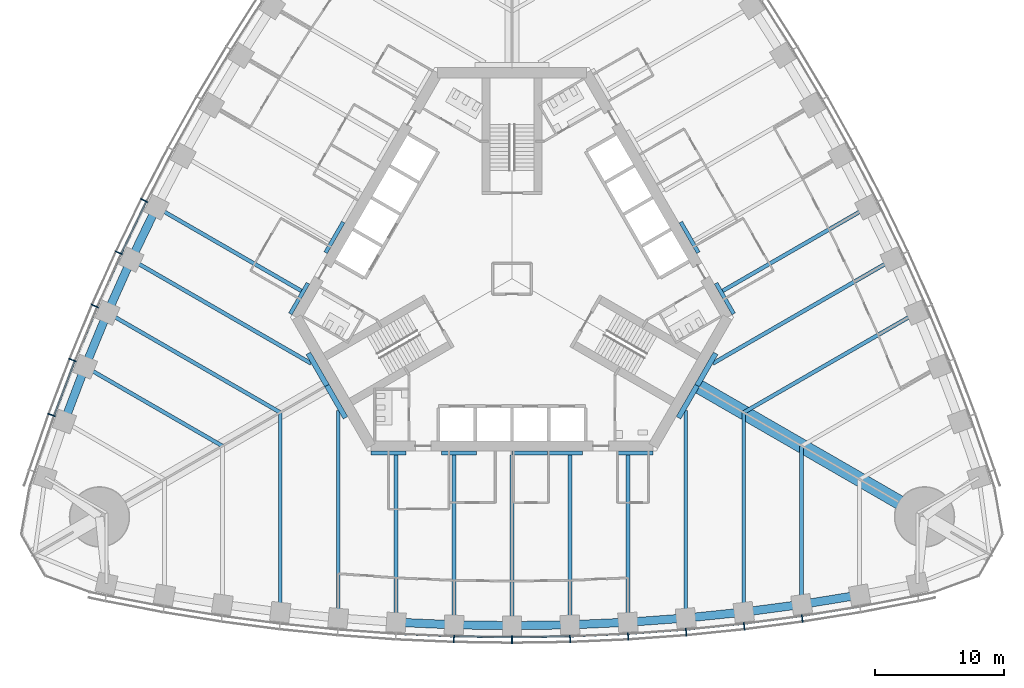
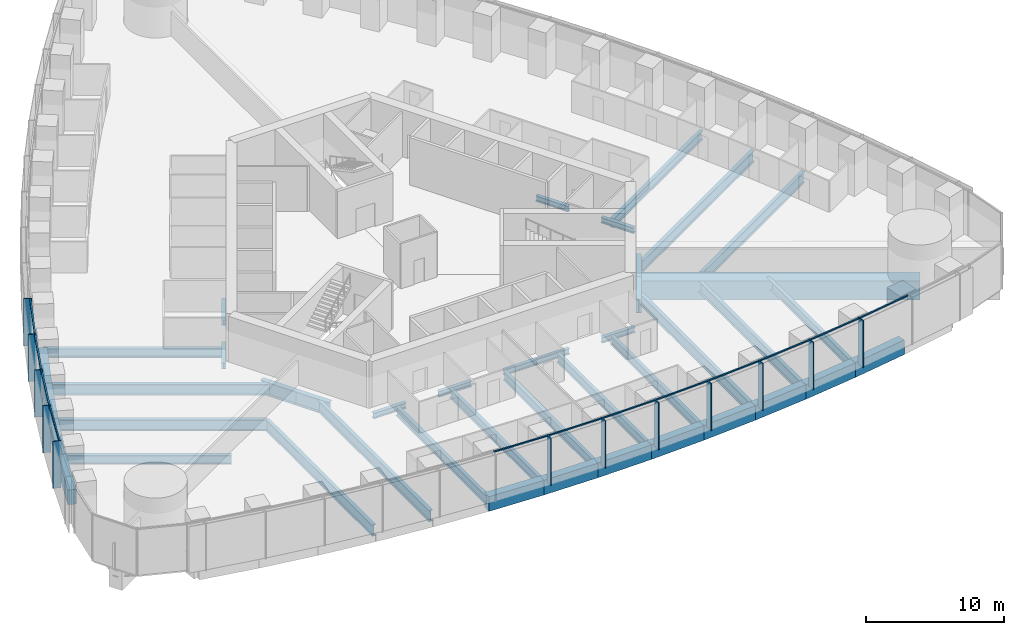
# One storey, part 3 of 18: 43 beams, 24 members, 2 elements without a shape of their own.
"""IFC4 building model written with IfcOpenShell, lengths in metres."""

from ifc_helpers import new_model, si_unit, direction, frame, origin, origin_2d, place, context, subcontext, project, spatial, rectangle, i_section, extrude, material, material_profile, profile_set, type_object, element, aggregate, save


model = new_model("IFC4")

# Units and contexts
model_context = context("Model", 3, precision=1e-05, world=origin(), true_north=direction((0.0, 1.0)))
body_context = subcontext(model_context, "Body", "Model", "MODEL_VIEW")
ifc_project = project(units=[si_unit("LENGTHUNIT", "METRE"), si_unit("AREAUNIT", "SQUARE_METRE"), si_unit("VOLUMEUNIT", "CUBIC_METRE"), si_unit("PLANEANGLEUNIT", "RADIAN"), si_unit("MASSUNIT", "GRAM", prefix="KILO")], contexts=[model_context])

# Site, building, storey
site_placement = place(None, origin())
site = spatial("IfcSite", under=ifc_project, at=site_placement, CompositionType="ELEMENT")
building_placement = place(site_placement, origin())
building = spatial("IfcBuilding", under=site, at=building_placement, Name="Trefoil Bronze Tower", CompositionType="ELEMENT")
storey_placement = place(building_placement, frame((0.0, 0.0, 29.10009765625)))
storey = spatial("IfcBuildingStorey", under=building, at=storey_placement, Name="L06", CompositionType="ELEMENT", Elevation=29.10009765625)

# Curtain wall, members
ifc_material_1 = material(Name="Tinted solar-control glass", Category="glass")
curtain_wall_type = type_object("IfcCurtainWallType", Name="Bronze office curtain wall", PredefinedType="USERDEFINED", material=ifc_material_1)
curtain_wall_1_placement = place(storey_placement, origin())
curtain_wall_1 = element("IfcCurtainWall", 1, at=curtain_wall_1_placement, inside=storey, type_object=curtain_wall_type, Name="CW-A L06 F1", ObjectType="CURTAIN WALL", PredefinedType="USERDEFINED")
ifc_material_2 = material(Name="Bronze-finish aluminium", Category="aluminium")
ifc_material_profile_1 = material_profile(ifc_material_2, rectangle(XDim=0.60009765625, YDim=0.080078125, at=origin_2d()), Name="CW-A mullion")
ifc_profile_set_1 = profile_set([ifc_material_profile_1], Name="Bronze-finish aluminium")
member_type_1 = type_object("IfcMemberType", Name="Bronze office curtain wall mullion", PredefinedType="MULLION", material=ifc_profile_set_1)
member_1_placement = place(storey_placement, frame((-4.5087890625, -27.9833984375, 0.0), z_axis=(0.0, 0.0, 1.0), x_axis=(0.029021671584, 0.999578782577, 0.0)))
member_1 = element("IfcMember", 2, at=member_1_placement, type_object=member_type_1, Name="CW-A L06 F1 mullion 8", PredefinedType="MULLION", context=body_context, shape_type="SweptSolid", body=[
    extrude(rectangle(XDim=0.60009765625, YDim=0.080078125, at=origin_2d()), origin(), (0.0, 0.0, 1.0), 4.179931640625),
])
member_2_placement = place(storey_placement, frame((0.0, -28.048828125, 0.0), z_axis=(0.0, 0.0, 1.0), x_axis=(0.0, 1.0, 0.0)))
member_2 = element("IfcMember", 3, at=member_2_placement, type_object=member_type_1, Name="CW-A L06 F1 mullion 9", PredefinedType="MULLION", context=body_context, shape_type="SweptSolid", body=[
    extrude(rectangle(XDim=0.60009765625, YDim=0.080078125, at=origin_2d()), origin(), (0.0, 0.0, 1.0), 4.179931640625),
])
member_3_placement = place(storey_placement, frame((4.5087890625, -27.9833984375, 0.0), z_axis=(0.0, 0.0, 1.0), x_axis=(-0.029021671584, 0.999578782577, 0.0)))
member_3 = element("IfcMember", 4, at=member_3_placement, type_object=member_type_1, Name="CW-A L06 F1 mullion 10", PredefinedType="MULLION", context=body_context, shape_type="SweptSolid", body=[
    extrude(rectangle(XDim=0.60009765625, YDim=0.080078125, at=origin_2d()), origin(), (0.0, 0.0, 1.0), 4.179931640625),
])
member_4_placement = place(storey_placement, frame((9.017333984375, -27.786865234375, 0.0), z_axis=(0.0, 0.0, 1.0), x_axis=(-0.058043374207, 0.998314062162, 0.0)))
member_4 = element("IfcMember", 5, at=member_4_placement, type_object=member_type_1, Name="CW-A L06 F1 mullion 11", PredefinedType="MULLION", context=body_context, shape_type="SweptSolid", body=[
    extrude(rectangle(XDim=0.60009765625, YDim=0.080078125, at=origin_2d()), origin(), (0.0, 0.0, 1.0), 4.179931640625),
])
member_5_placement = place(storey_placement, frame((13.526123046875, -27.458984375, 0.0), z_axis=(0.0, 0.0, 1.0), x_axis=(-0.087065139456, 0.996202620701, 0.0)))
member_5 = element("IfcMember", 6, at=member_5_placement, type_object=member_type_1, Name="CW-A L06 F1 mullion 12", PredefinedType="MULLION", context=body_context, shape_type="SweptSolid", body=[
    extrude(rectangle(XDim=0.60009765625, YDim=0.080078125, at=origin_2d()), origin(), (0.0, 0.0, 1.0), 4.179931640625),
])
member_6_placement = place(storey_placement, frame((18.034912109375, -26.99853515625, 0.0), z_axis=(0.0, 0.0, 1.0), x_axis=(-0.116086999973, 0.993239048989, 0.0)))
member_6 = element("IfcMember", 7, at=member_6_placement, type_object=member_type_1, Name="CW-A L06 F1 mullion 13", PredefinedType="MULLION", context=body_context, shape_type="SweptSolid", body=[
    extrude(rectangle(XDim=0.60009765625, YDim=0.080078125, at=origin_2d()), origin(), (0.0, 0.0, 1.0), 4.179931640625),
])
member_7_placement = place(storey_placement, frame((22.54345703125, -26.40478515625, 0.0), z_axis=(0.0, 0.0, 1.0), x_axis=(-0.145108990094, 0.989415676546, 0.0)))
member_7 = element("IfcMember", 8, at=member_7_placement, type_object=member_type_1, Name="CW-A L06 F1 mullion 14", PredefinedType="MULLION", context=body_context, shape_type="SweptSolid", body=[
    extrude(rectangle(XDim=0.60009765625, YDim=0.080078125, at=origin_2d()), origin(), (0.0, 0.0, 1.0), 4.179931640625),
])

curtain_wall_2_placement = place(storey_placement, origin())
curtain_wall_2 = element("IfcCurtainWall", 9, at=curtain_wall_2_placement, inside=storey, type_object=curtain_wall_type, Name="CW-A L06 F3", ObjectType="CURTAIN WALL", PredefinedType="USERDEFINED")
member_8_placement = place(storey_placement, frame((-28.57275390625, 6.084228515625, 0.0), z_axis=(0.0, 0.0, 1.0), x_axis=(0.893587025891, -0.448889994497, 0.0)))
member_8 = element("IfcMember", 10, at=member_8_placement, type_object=member_type_1, Name="CW-A L06 F3 mullion 11", PredefinedType="MULLION", context=body_context, shape_type="SweptSolid", body=[
    extrude(rectangle(XDim=0.60009765625, YDim=0.080078125, at=origin_2d()), origin(), (0.0, 0.0, 1.0), 4.179931640625),
])
member_9_placement = place(storey_placement, frame((-30.543212890625, 2.015380859375, 0.0), z_axis=(0.0, 0.0, 1.0), x_axis=(0.906269346572, -0.422700687798, 0.0)))
member_9 = element("IfcMember", 11, at=member_9_placement, type_object=member_type_1, Name="CW-A L06 F3 mullion 12", PredefinedType="MULLION", context=body_context, shape_type="SweptSolid", body=[
    extrude(rectangle(XDim=0.60009765625, YDim=0.080078125, at=origin_2d()), origin(), (0.0, 0.0, 1.0), 4.179931640625),
])
member_10_placement = place(storey_placement, frame((-32.39892578125, -2.119384765625, 0.0), z_axis=(0.0, 0.0, 1.0), x_axis=(0.918213748442, -0.396085233469, 0.0)))
member_10 = element("IfcMember", 12, at=member_10_placement, type_object=member_type_1, Name="CW-A L06 F3 mullion 13", PredefinedType="MULLION", context=body_context, shape_type="SweptSolid", body=[
    extrude(rectangle(XDim=0.60009765625, YDim=0.080078125, at=origin_2d()), origin(), (0.0, 0.0, 1.0), 4.179931640625),
])
member_11_placement = place(storey_placement, frame((-34.138916015625, -6.32080078125, 0.0), z_axis=(0.0, 0.0, 1.0), x_axis=(0.929413605838, -0.369039766534, 0.0)))
member_11 = element("IfcMember", 13, at=member_11_placement, type_object=member_type_1, Name="CW-A L06 F3 mullion 14", PredefinedType="MULLION", context=body_context, shape_type="SweptSolid", body=[
    extrude(rectangle(XDim=0.60009765625, YDim=0.080078125, at=origin_2d()), origin(), (0.0, 0.0, 1.0), 4.179931640625),
])
member_12_placement = place(storey_placement, frame((-35.761962890625, -10.590087890625, 0.0), z_axis=(0.0, 0.0, 1.0), x_axis=(0.939860248316, -0.341559238839, 0.0)))
member_12 = element("IfcMember", 14, at=member_12_placement, type_object=member_type_1, Name="CW-A L06 F3 mullion 15", PredefinedType="MULLION", context=body_context, shape_type="SweptSolid", body=[
    extrude(rectangle(XDim=0.60009765625, YDim=0.080078125, at=origin_2d()), origin(), (0.0, 0.0, 1.0), 4.179931640625),
])

# Member
ifc_material_3 = material(Name="Bronze-finish aluminium", Category="aluminium")
ifc_material_profile_2 = material_profile(ifc_material_3, rectangle(XDim=0.1201171875, YDim=0.10009765625, at=origin_2d()), Name="CW-A transom")
ifc_profile_set_2 = profile_set([ifc_material_profile_2], Name="Bronze-finish aluminium")
member_type_2 = type_object("IfcMemberType", Name="Bronze office curtain wall transom", PredefinedType="USERDEFINED", material=ifc_profile_set_2)
member_13_placement = place(storey_placement, frame((-8.96435546875, -27.589111328125, 4.1298828125), z_axis=(0.999054074786, -0.043485119914, 0.0), x_axis=(0.043485119914, 0.999054074786, 0.0)))
member_13 = element("IfcMember", 15, at=member_13_placement, type_object=member_type_2, Name="CW-A L06 F1 transom 7", ObjectType="TRANSOM", PredefinedType="USERDEFINED", context=body_context, shape_type="SweptSolid", body=[
    extrude(rectangle(XDim=0.1201171875, YDim=0.10009765625, at=origin_2d()), origin(), (0.0, 0.0, 1.0), 4.424072265625),
])

member_14_placement = place(storey_placement, frame((-4.46142578125, -27.783935546875, 4.1298828125), z_axis=(0.999894497273, -0.014525643658, 0.0), x_axis=(0.014525643658, 0.999894497273, 0.0)))
member_14 = element("IfcMember", 16, at=member_14_placement, type_object=member_type_2, Name="CW-A L06 F1 transom 8", ObjectType="TRANSOM", PredefinedType="USERDEFINED", context=body_context, shape_type="SweptSolid", body=[
    extrude(rectangle(XDim=0.1201171875, YDim=0.10009765625, at=origin_2d()), origin(), (0.0, 0.0, 1.0), 4.42041015625),
])

member_15_placement = place(storey_placement, frame((0.04150390625, -27.84814453125, 4.1298828125), z_axis=(0.999894497273, 0.014525643658, 0.0), x_axis=(-0.014525643658, 0.999894497273, 0.0)))
member_15 = element("IfcMember", 17, at=member_15_placement, type_object=member_type_2, Name="CW-A L06 F1 transom 9", ObjectType="TRANSOM", PredefinedType="USERDEFINED", context=body_context, shape_type="SweptSolid", body=[
    extrude(rectangle(XDim=0.1201171875, YDim=0.10009765625, at=origin_2d()), origin(), (0.0, 0.0, 1.0), 4.42041015625),
])

member_16_placement = place(storey_placement, frame((4.54443359375, -27.781494140625, 4.1298828125), z_axis=(0.999054074786, 0.043485119914, 0.0), x_axis=(-0.043485119914, 0.999054074786, 0.0)))
member_16 = element("IfcMember", 18, at=member_16_placement, type_object=member_type_2, Name="CW-A L06 F1 transom 10", ObjectType="TRANSOM", PredefinedType="USERDEFINED", context=body_context, shape_type="SweptSolid", body=[
    extrude(rectangle(XDim=0.1201171875, YDim=0.10009765625, at=origin_2d()), origin(), (0.0, 0.0, 1.0), 4.424072265625),
])

member_17_placement = place(storey_placement, frame((9.047119140625, -27.584228515625, 4.1298828125), z_axis=(0.997364729945, 0.07255064067, 0.0), x_axis=(-0.07255064067, 0.997364729945, 0.0)))
member_17 = element("IfcMember", 19, at=member_17_placement, type_object=member_type_2, Name="CW-A L06 F1 transom 11", ObjectType="TRANSOM", PredefinedType="USERDEFINED", context=body_context, shape_type="SweptSolid", body=[
    extrude(rectangle(XDim=0.1201171875, YDim=0.10009765625, at=origin_2d()), origin(), (0.0, 0.0, 1.0), 4.431884765625),
])

member_18_placement = place(storey_placement, frame((13.550048828125, -27.25537109375, 4.1298828125), z_axis=(0.994831650915, 0.101538102888, 0.0), x_axis=(-0.101538102888, 0.994831650915, 0.0)))
member_18 = element("IfcMember", 20, at=member_18_placement, type_object=member_type_2, Name="CW-A L06 F1 transom 12", ObjectType="TRANSOM", PredefinedType="USERDEFINED", context=body_context, shape_type="SweptSolid", body=[
    extrude(rectangle(XDim=0.1201171875, YDim=0.10009765625, at=origin_2d()), origin(), (0.0, 0.0, 1.0), 4.443359375),
])

member_19_placement = place(storey_placement, frame((18.052734375, -26.79443359375, 4.1298828125), z_axis=(0.991436581643, 0.13058906761, 0.0), x_axis=(-0.13058906761, 0.991436581643, 0.0)))
member_19 = element("IfcMember", 21, at=member_19_placement, type_object=member_type_2, Name="CW-A L06 F1 transom 13", ObjectType="TRANSOM", PredefinedType="USERDEFINED", context=body_context, shape_type="SweptSolid", body=[
    extrude(rectangle(XDim=0.1201171875, YDim=0.10009765625, at=origin_2d()), origin(), (0.0, 0.0, 1.0), 4.458740234375),
])

member_20_placement = place(storey_placement, frame((22.555419921875, -26.2001953125, 4.1298828125), z_axis=(0.987179401487, 0.159614627398, 0.0), x_axis=(-0.159614627398, 0.987179401487, 0.0)))
member_20 = element("IfcMember", 22, at=member_20_placement, type_object=member_type_2, Name="CW-A L06 F1 transom 14", ObjectType="TRANSOM", PredefinedType="USERDEFINED", context=body_context, shape_type="SweptSolid", body=[
    extrude(rectangle(XDim=0.1201171875, YDim=0.10009765625, at=origin_2d()), origin(), (0.0, 0.0, 1.0), 4.478515625),
])

aggregate(curtain_wall_1, [member_1, member_2, member_3, member_4, member_5, member_6, member_7, member_13, member_14, member_15, member_16, member_17, member_18, member_19, member_20])

member_21_placement = place(storey_placement, frame((-28.412109375, 5.95703125, 4.1298828125), z_axis=(-0.435851763293, -0.900018466719, 0.0), x_axis=(0.900018466719, -0.435851763293, 0.0)))
member_21 = element("IfcMember", 23, at=member_21_placement, type_object=member_type_2, Name="CW-A L06 F3 transom 11", ObjectType="TRANSOM", PredefinedType="USERDEFINED", context=body_context, shape_type="SweptSolid", body=[
    extrude(rectangle(XDim=0.1201171875, YDim=0.10009765625, at=origin_2d()), origin(), (0.0, 0.0, 1.0), 4.431884765625),
])

member_22_placement = place(storey_placement, frame((-30.37890625, 1.89306640625, 4.1298828125), z_axis=(-0.409459746452, -0.912328184392, 0.0), x_axis=(0.912328184392, -0.409459746452, 0.0)))
member_22 = element("IfcMember", 24, at=member_22_placement, type_object=member_type_2, Name="CW-A L06 F3 transom 12", ObjectType="TRANSOM", PredefinedType="USERDEFINED", context=body_context, shape_type="SweptSolid", body=[
    extrude(rectangle(XDim=0.1201171875, YDim=0.10009765625, at=origin_2d()), origin(), (0.0, 0.0, 1.0), 4.443359375),
])

member_23_placement = place(storey_placement, frame((-32.231201171875, -2.23681640625, 4.1298828125), z_axis=(-0.382616149417, -0.923907399151, 0.0), x_axis=(0.923907399151, -0.382616149417, 0.0)))
member_23 = element("IfcMember", 25, at=member_23_placement, type_object=member_type_2, Name="CW-A L06 F3 transom 13", ObjectType="TRANSOM", PredefinedType="USERDEFINED", context=body_context, shape_type="SweptSolid", body=[
    extrude(rectangle(XDim=0.1201171875, YDim=0.10009765625, at=origin_2d()), origin(), (0.0, 0.0, 1.0), 4.458984375),
])

member_24_placement = place(storey_placement, frame((-33.9677734375, -6.433349609375, 4.1298828125), z_axis=(-0.355367327392, -0.934726731522, 0.0), x_axis=(0.934726731522, -0.355367327392, 0.0)))
member_24 = element("IfcMember", 26, at=member_24_placement, type_object=member_type_2, Name="CW-A L06 F3 transom 14", ObjectType="TRANSOM", PredefinedType="USERDEFINED", context=body_context, shape_type="SweptSolid", body=[
    extrude(rectangle(XDim=0.1201171875, YDim=0.10009765625, at=origin_2d()), origin(), (0.0, 0.0, 1.0), 4.478515625),
])

aggregate(curtain_wall_2, [member_8, member_9, member_10, member_11, member_12, member_21, member_22, member_23, member_24])

# Beams
ifc_material_4 = material(Name="Steel C355", Category="steel")
ifc_material_profile_3 = material_profile(ifc_material_4, i_section(OverallWidth=0.300048828125, OverallDepth=0.5, WebThickness=0.014404296875, FlangeThickness=0.028076171875, FilletRadius=0.027099609375, at=origin_2d()), Name="HEB 500")
ifc_profile_set_3 = profile_set([ifc_material_profile_3], Name="Steel C355")
beam_type_1 = type_object("IfcBeamType", Name="Core seat beam HEB 500", PredefinedType="BEAM", material=ifc_profile_set_3)
for number, where, z_axis, x_axis, name in (
    (27, (-10.9697265625, -13.550048828125, -0.4501953125), (1.0, 0.0, 0.0), (0.0, 1.0, 0.0), "Core seat beam F1/-2 L06"),
    (28, (-5.48486328125, -13.550048828125, -0.4501953125), (1.0, 0.0, 0.0), (0.0, 1.0, 0.0), "Core seat beam F1/-1 L06"),
    (29, (0.0, -13.550048828125, -0.4501953125), (1.0, 0.0, 0.0), (0.0, 1.0, 0.0), "Core seat beam F1/+0 L06"),
    (30, (2.742431640625, -13.550048828125, -0.4501953125), (1.0, 0.0, 0.0), (0.0, 1.0, 0.0), "Core seat beam F1/+1 L06"),
    (31, (8.227294921875, -13.550048828125, -0.4501953125), (1.0, 0.0, 0.0), (0.0, 1.0, 0.0), "Core seat beam F1/+2 L06"),
    (32, (17.219482421875, -2.72509765625, -0.4501953125), (-0.500035825175, 0.866004719122, 0.0), (-0.866004719122, -0.500035825175, 0.0), "Core seat beam F2/-2 L06"),
    (33, (14.47705078125, 2.02490234375, -0.4501953125), (-0.499969057507, 0.866043267704, 0.0), (-0.866043267704, -0.499969057507, 0.0), "Core seat beam F2/-1 L06"),
    (34, (-13.10595703125, 4.39990234375, -0.4501953125), (-0.499969057507, -0.866043267704, 0.0), (0.866043267704, -0.499969057507, 0.0), "Core seat beam F3/+1 L06"),
    (35, (-15.84814453125, -0.35009765625, -0.4501953125), (-0.500035825175, -0.866004719122, 0.0), (0.866004719122, -0.500035825175, 0.0), "Core seat beam F3/+2 L06"),
):
    element("IfcBeam", number, at=place(storey_placement, frame(where, z_axis=z_axis, x_axis=x_axis)), inside=storey, type_object=beam_type_1, Name=name, PredefinedType="BEAM", context=body_context, shape_type="SweptSolid", body=[
        extrude(i_section(OverallWidth=0.300048828125, OverallDepth=0.5, WebThickness=0.014404296875, FlangeThickness=0.028076171875, FilletRadius=0.027099609375, at=origin_2d()), origin(), (0.0, 0.0, 1.0), 2.742431640625),
    ])
ifc_material_5 = material(Name="Steel C355", Category="steel")
ifc_material_profile_4 = material_profile(ifc_material_5, i_section(OverallWidth=0.39990234375, OverallDepth=1.199951171875, WebThickness=0.02001953125, FlangeThickness=0.0400390625, FilletRadius=0.010009765625, at=origin_2d()), Name="WPG 1200")
ifc_profile_set_4 = profile_set([ifc_material_profile_4], Name="Steel C355")
beam_type_2 = type_object("IfcBeamType", Name="Core seat beam WPG 1200", PredefinedType="BEAM", material=ifc_profile_set_4)
for number, where, z_axis, x_axis, name in (
    (36, (-14.3759765625, -8.300048828125, -0.800048828125), (0.499995765644, -0.866027848477, 0.0), (0.866027848477, 0.499995765644, 0.0), "Core seat beam F1/-3 L06"),
    (37, (12.9326171875, -10.800048828125, -0.800048828125), (0.499995765644, 0.866027848477, 0.0), (-0.866027848477, 0.499995765644, 0.0), "Core seat beam F1/+3 L06"),
    (38, (14.3759765625, -8.300048828125, -0.800048828125), (0.499995765644, 0.866027848477, 0.0), (-0.866027848477, 0.499995765644, 0.0), "Core seat beam F2/-3 L06"),
    (39, (-15.8193359375, -5.800048828125, -0.800048828125), (0.499995765644, -0.866027848477, 0.0), (0.866027848477, 0.499995765644, 0.0), "Core seat beam F3/+3 L06"),
):
    element("IfcBeam", number, at=place(storey_placement, frame(where, z_axis=z_axis, x_axis=x_axis)), inside=storey, type_object=beam_type_2, Name=name, PredefinedType="BEAM", context=body_context, shape_type="SweptSolid", body=[
        extrude(i_section(OverallWidth=0.39990234375, OverallDepth=1.199951171875, WebThickness=0.02001953125, FlangeThickness=0.0400390625, FilletRadius=0.010009765625, at=origin_2d()), origin(), (0.0, 0.0, 1.0), 2.88671875),
    ])
ifc_material_6 = material(Name="Concrete B80", Category="concrete")
ifc_material_profile_5 = material_profile(ifc_material_6, rectangle(XDim=1.10009765625, YDim=1.699951171875, at=origin_2d()), Name="RC 1100x1700")
ifc_profile_set_5 = profile_set([ifc_material_profile_5], Name="Concrete B80")
beam_type_3 = type_object("IfcBeamType", Name="Corner girder RC 1100x1700", PredefinedType="BEAM", material=ifc_profile_set_5)
beam_1_placement = place(storey_placement, frame((14.202880859375, -8.199951171875, -1.050048828125), z_axis=(0.866023947468, -0.500002522405, 0.0), x_axis=(0.500002522405, 0.866023947468, 0.0)))
element("IfcBeam", 40, at=beam_1_placement, inside=storey, type_object=beam_type_3, Name="Corner girder K1 L06", PredefinedType="BEAM", context=body_context, shape_type="SweptSolid", body=[
    extrude(rectangle(XDim=1.10009765625, YDim=1.699951171875, at=origin_2d()), origin(), (0.0, 0.0, 1.0), 20.60009765625),
])
ifc_material_7 = material(Name="Steel C355", Category="steel")
ifc_material_profile_6 = material_profile(ifc_material_7, i_section(OverallWidth=0.300048828125, OverallDepth=1.0, WebThickness=0.01904296875, FlangeThickness=0.035888671875, FilletRadius=0.030029296875, at=origin_2d()), Name="HEB 1000")
ifc_profile_set_6 = profile_set([ifc_material_profile_6], Name="Steel C355")
beam_type_4 = type_object("IfcBeamType", Name="Floor beam HEB 1000", PredefinedType="BEAM", material=ifc_profile_set_6)
for number, where, z_axis, x_axis, name in (
    (41, (-18.0, -25.895263671875, -0.7001953125), (0.0, 1.0, 0.0), (-1.0, 0.0, 0.0), "Floor beam F1/-4 L06"),
    (42, (18.0, -25.895263671875, -0.7001953125), (0.0, 1.0, 0.0), (-1.0, 0.0, 0.0), "Floor beam F1/+4 L06"),
):
    element("IfcBeam", number, at=place(storey_placement, frame(where, z_axis=z_axis, x_axis=x_axis)), inside=storey, type_object=beam_type_4, Name=name, PredefinedType="BEAM", context=body_context, shape_type="SweptSolid", body=[
        extrude(i_section(OverallWidth=0.300048828125, OverallDepth=1.0, WebThickness=0.01904296875, FlangeThickness=0.035888671875, FilletRadius=0.030029296875, at=origin_2d()), origin(), (0.0, 0.0, 1.0), 15.5029296875),
    ])
for number, where, z_axis, x_axis, name in (
    (43, (31.42578125, -2.640869140625, -0.7001953125), (-0.866022989816, -0.500004181093, 0.0), (0.500004181093, -0.866022989816, 0.0), "Floor beam F2/-4 L06"),
    (44, (-31.42578125, -2.640869140625, -0.7001953125), (0.866022989816, -0.500004181093, 0.0), (0.500004181093, 0.866022989816, 0.0), "Floor beam F3/+4 L06"),
):
    element("IfcBeam", number, at=place(storey_placement, frame(where, z_axis=z_axis, x_axis=x_axis)), inside=storey, type_object=beam_type_4, Name=name, PredefinedType="BEAM", context=body_context, shape_type="SweptSolid", body=[
        extrude(i_section(OverallWidth=0.300048828125, OverallDepth=1.0, WebThickness=0.01904296875, FlangeThickness=0.035888671875, FilletRadius=0.030029296875, at=origin_2d()), origin(), (0.0, 0.0, 1.0), 15.502685546875),
    ])
ifc_material_8 = material(Name="Steel C355", Category="steel")
ifc_material_profile_7 = material_profile(ifc_material_8, i_section(OverallWidth=0.300048828125, OverallDepth=0.800048828125, WebThickness=0.017578125, FlangeThickness=0.032958984375, FilletRadius=0.030029296875, at=origin_2d()), Name="HEB 800")
ifc_profile_set_7 = profile_set([ifc_material_profile_7], Name="Steel C355")
beam_type_5 = type_object("IfcBeamType", Name="Floor beam HEB 800", PredefinedType="BEAM", material=ifc_profile_set_7)
beam_2_placement = place(storey_placement, frame((-9.0, -26.68603515625, -0.60009765625), z_axis=(0.0, 1.0, 0.0), x_axis=(-1.0, 0.0, 0.0)))
element("IfcBeam", 45, at=beam_2_placement, inside=storey, type_object=beam_type_5, Name="Floor beam F1/-2 L06", PredefinedType="BEAM", context=body_context, shape_type="SweptSolid", body=[
    extrude(i_section(OverallWidth=0.300048828125, OverallDepth=0.800048828125, WebThickness=0.017578125, FlangeThickness=0.032958984375, FilletRadius=0.030029296875, at=origin_2d()), origin(), (0.0, 0.0, 1.0), 12.986083984375),
])
beam_3_placement = place(storey_placement, frame((-4.5, -26.883056640625, -0.60009765625), z_axis=(0.0, 1.0, 0.0), x_axis=(-1.0, 0.0, 0.0)))
element("IfcBeam", 46, at=beam_3_placement, inside=storey, type_object=beam_type_5, Name="Floor beam F1/-1 L06", PredefinedType="BEAM", context=body_context, shape_type="SweptSolid", body=[
    extrude(i_section(OverallWidth=0.300048828125, OverallDepth=0.800048828125, WebThickness=0.017578125, FlangeThickness=0.032958984375, FilletRadius=0.030029296875, at=origin_2d()), origin(), (0.0, 0.0, 1.0), 13.18310546875),
])
beam_4_placement = place(storey_placement, frame((0.0, -26.94873046875, -0.60009765625), z_axis=(0.0, 1.0, 0.0), x_axis=(-1.0, 0.0, 0.0)))
element("IfcBeam", 47, at=beam_4_placement, inside=storey, type_object=beam_type_5, Name="Floor beam F1/+0 L06", PredefinedType="BEAM", context=body_context, shape_type="SweptSolid", body=[
    extrude(i_section(OverallWidth=0.300048828125, OverallDepth=0.800048828125, WebThickness=0.017578125, FlangeThickness=0.032958984375, FilletRadius=0.030029296875, at=origin_2d()), origin(), (0.0, 0.0, 1.0), 13.248779296875),
])
beam_5_placement = place(storey_placement, frame((4.5, -26.883056640625, -0.60009765625), z_axis=(0.0, 1.0, 0.0), x_axis=(-1.0, 0.0, 0.0)))
element("IfcBeam", 48, at=beam_5_placement, inside=storey, type_object=beam_type_5, Name="Floor beam F1/+1 L06", PredefinedType="BEAM", context=body_context, shape_type="SweptSolid", body=[
    extrude(i_section(OverallWidth=0.300048828125, OverallDepth=0.800048828125, WebThickness=0.017578125, FlangeThickness=0.032958984375, FilletRadius=0.030029296875, at=origin_2d()), origin(), (0.0, 0.0, 1.0), 13.18310546875),
])
beam_6_placement = place(storey_placement, frame((9.0, -26.68603515625, -0.60009765625), z_axis=(0.0, 1.0, 0.0), x_axis=(-1.0, 0.0, 0.0)))
element("IfcBeam", 49, at=beam_6_placement, inside=storey, type_object=beam_type_5, Name="Floor beam F1/+2 L06", PredefinedType="BEAM", context=body_context, shape_type="SweptSolid", body=[
    extrude(i_section(OverallWidth=0.300048828125, OverallDepth=0.800048828125, WebThickness=0.017578125, FlangeThickness=0.032958984375, FilletRadius=0.030029296875, at=origin_2d()), origin(), (0.0, 0.0, 1.0), 12.986083984375),
])
beam_7_placement = place(storey_placement, frame((22.5, -25.29931640625, -0.60009765625), z_axis=(0.0, 1.0, 0.0), x_axis=(-1.0, 0.0, 0.0)))
element("IfcBeam", 50, at=beam_7_placement, inside=storey, type_object=beam_type_5, Name="Floor beam F1/+5 L06", PredefinedType="BEAM", context=body_context, shape_type="SweptSolid", body=[
    extrude(i_section(OverallWidth=0.300048828125, OverallDepth=0.800048828125, WebThickness=0.017578125, FlangeThickness=0.032958984375, FilletRadius=0.030029296875, at=origin_2d()), origin(), (0.0, 0.0, 1.0), 12.308837890625),
])
for number, where, z_axis, x_axis, name in (
    (51, (27.61083984375, 5.548828125, -0.60009765625), (-0.866022474361, -0.500005073876, 0.0), (0.500005073876, -0.866022474361, 0.0), "Floor beam F2/-2 L06"),
    (52, (-27.61083984375, 5.548828125, -0.60009765625), (0.866022474361, -0.500005073876, 0.0), (0.500005073876, 0.866022474361, 0.0), "Floor beam F3/+2 L06"),
):
    element("IfcBeam", number, at=place(storey_placement, frame(where, z_axis=z_axis, x_axis=x_axis)), inside=storey, type_object=beam_type_5, Name=name, PredefinedType="BEAM", context=body_context, shape_type="SweptSolid", body=[
        extrude(i_section(OverallWidth=0.300048828125, OverallDepth=0.800048828125, WebThickness=0.017578125, FlangeThickness=0.032958984375, FilletRadius=0.030029296875, at=origin_2d()), origin(), (0.0, 0.0, 1.0), 12.986083984375),
    ])
beam_8_placement = place(storey_placement, frame((-33.159912109375, -6.8359375, -0.60009765625), z_axis=(0.866024070878, -0.500002308654, 0.0), x_axis=(0.500002308654, 0.866024070878, 0.0)))
element("IfcBeam", 53, at=beam_8_placement, inside=storey, type_object=beam_type_5, Name="Floor beam F3/+5 L06", PredefinedType="BEAM", context=body_context, shape_type="SweptSolid", body=[
    extrude(i_section(OverallWidth=0.300048828125, OverallDepth=0.800048828125, WebThickness=0.017578125, FlangeThickness=0.032958984375, FilletRadius=0.030029296875, at=origin_2d()), origin(), (0.0, 0.0, 1.0), 12.30908203125),
])
ifc_material_9 = material(Name="Steel C355", Category="steel")
ifc_material_profile_8 = material_profile(ifc_material_9, i_section(OverallWidth=0.302001953125, OverallDepth=1.008056640625, WebThickness=0.02099609375, FlangeThickness=0.0400390625, FilletRadius=0.030029296875, at=origin_2d()), Name="HEM 1000")
ifc_profile_set_8 = profile_set([ifc_material_profile_8], Name="Steel C355")
beam_type_6 = type_object("IfcBeamType", Name="Floor beam HEM 1000", PredefinedType="BEAM", material=ifc_profile_set_8)
for number, where, z_axis, x_axis, name in (
    (54, (-13.5, -26.35693359375, -0.7041015625), (0.0, 1.0, 0.0), (-1.0, 0.0, 0.0), "Floor beam F1/-3 L06"),
    (55, (13.5, -26.35693359375, -0.7041015625), (0.0, 1.0, 0.0), (-1.0, 0.0, 0.0), "Floor beam F1/+3 L06"),
):
    element("IfcBeam", number, at=place(storey_placement, frame(where, z_axis=z_axis, x_axis=x_axis)), inside=storey, type_object=beam_type_6, Name=name, PredefinedType="BEAM", context=body_context, shape_type="SweptSolid", body=[
        extrude(i_section(OverallWidth=0.302001953125, OverallDepth=1.008056640625, WebThickness=0.02099609375, FlangeThickness=0.0400390625, FilletRadius=0.030029296875, at=origin_2d()), origin(), (0.0, 0.0, 1.0), 16.1396484375),
    ])
for number, where, z_axis, x_axis, name in (
    (56, (29.575927734375, 1.487060546875, -0.7041015625), (-0.866028401131, -0.499994808408, 0.0), (0.499994808408, -0.866028401131, 0.0), "Floor beam F2/-3 L06"),
    (57, (-29.575927734375, 1.487060546875, -0.7041015625), (0.866028401131, -0.499994808408, 0.0), (0.499994808408, 0.866028401131, 0.0), "Floor beam F3/+3 L06"),
):
    element("IfcBeam", number, at=place(storey_placement, frame(where, z_axis=z_axis, x_axis=x_axis)), inside=storey, type_object=beam_type_6, Name=name, PredefinedType="BEAM", context=body_context, shape_type="SweptSolid", body=[
        extrude(i_section(OverallWidth=0.302001953125, OverallDepth=1.008056640625, WebThickness=0.02099609375, FlangeThickness=0.0400390625, FilletRadius=0.030029296875, at=origin_2d()), origin(), (0.0, 0.0, 1.0), 16.139892578125),
    ])
ifc_material_10 = material(Name="Concrete B80", Category="concrete")
ifc_material_profile_9 = material_profile(ifc_material_10, rectangle(XDim=0.64990234375, YDim=1.300048828125, at=origin_2d()), Name="RC 650x1300")
ifc_profile_set_9 = profile_set([ifc_material_profile_9], Name="Concrete B80")
beam_type_7 = type_object("IfcBeamType", Name="Spandrel beam RC 650x1300", PredefinedType="SPANDREL", material=ifc_profile_set_9)
beam_9_placement = place(storey_placement, frame((-9.0, -26.68603515625, -0.85009765625), z_axis=(0.999042919826, -0.043740648671, 0.0), x_axis=(0.043740648671, 0.999042919826, 0.0)))
element("IfcBeam", 58, at=beam_9_placement, inside=storey, type_object=beam_type_7, Name="Spandrel F1.7 L06", PredefinedType="SPANDREL", context=body_context, shape_type="SweptSolid", body=[
    extrude(rectangle(XDim=0.64990234375, YDim=1.300048828125, at=origin_2d()), origin(), (0.0, 0.0, 1.0), 4.50439453125),
])
for number, where, z_axis, x_axis, name in (
    (59, (-4.5, -26.883056640625, -0.85009765625), (0.999893521905, -0.014592630067, 0.0), (0.014592630067, 0.999893521905, 0.0), "Spandrel F1.8 L06"),
    (60, (0.0, -26.94873046875, -0.85009765625), (0.999893521905, 0.014592630067, 0.0), (-0.014592630067, 0.999893521905, 0.0), "Spandrel F1.9 L06"),
):
    element("IfcBeam", number, at=place(storey_placement, frame(where, z_axis=z_axis, x_axis=x_axis)), inside=storey, type_object=beam_type_7, Name=name, PredefinedType="SPANDREL", context=body_context, shape_type="SweptSolid", body=[
        extrude(rectangle(XDim=0.64990234375, YDim=1.300048828125, at=origin_2d()), origin(), (0.0, 0.0, 1.0), 4.50048828125),
    ])
beam_10_placement = place(storey_placement, frame((4.5, -26.883056640625, -0.85009765625), z_axis=(0.999042919826, 0.043740648671, 0.0), x_axis=(-0.043740648671, 0.999042919826, 0.0)))
element("IfcBeam", 61, at=beam_10_placement, inside=storey, type_object=beam_type_7, Name="Spandrel F1.10 L06", PredefinedType="SPANDREL", context=body_context, shape_type="SweptSolid", body=[
    extrude(rectangle(XDim=0.64990234375, YDim=1.300048828125, at=origin_2d()), origin(), (0.0, 0.0, 1.0), 4.50439453125),
])
beam_11_placement = place(storey_placement, frame((9.0, -26.68603515625, -0.85009765625), z_axis=(0.997336412354, 0.072938882588, 0.0), x_axis=(-0.072938882588, 0.997336412354, 0.0)))
element("IfcBeam", 62, at=beam_11_placement, inside=storey, type_object=beam_type_7, Name="Spandrel F1.11 L06", PredefinedType="SPANDREL", context=body_context, shape_type="SweptSolid", body=[
    extrude(rectangle(XDim=0.64990234375, YDim=1.300048828125, at=origin_2d()), origin(), (0.0, 0.0, 1.0), 4.511962890625),
])
beam_12_placement = place(storey_placement, frame((13.5, -26.35693359375, -0.85009765625), z_axis=(0.994778488621, 0.102057623805, 0.0), x_axis=(-0.102057623805, 0.994778488621, 0.0)))
element("IfcBeam", 63, at=beam_12_placement, inside=storey, type_object=beam_type_7, Name="Spandrel F1.12 L06", PredefinedType="SPANDREL", context=body_context, shape_type="SweptSolid", body=[
    extrude(rectangle(XDim=0.64990234375, YDim=1.300048828125, at=origin_2d()), origin(), (0.0, 0.0, 1.0), 4.523681640625),
])
beam_13_placement = place(storey_placement, frame((18.0, -25.895263671875, -0.85009765625), z_axis=(0.991344474846, 0.131286450906, 0.0), x_axis=(-0.131286450906, 0.991344474846, 0.0)))
element("IfcBeam", 64, at=beam_13_placement, inside=storey, type_object=beam_type_7, Name="Spandrel F1.13 L06", PredefinedType="SPANDREL", context=body_context, shape_type="SweptSolid", body=[
    extrude(rectangle(XDim=0.64990234375, YDim=1.300048828125, at=origin_2d()), origin(), (0.0, 0.0, 1.0), 4.539306640625),
])
beam_14_placement = place(storey_placement, frame((22.5, -25.29931640625, -0.85009765625), z_axis=(0.987045951254, 0.160437807615, 0.0), x_axis=(-0.160437807615, 0.987045951254, 0.0)))
element("IfcBeam", 65, at=beam_14_placement, inside=storey, type_object=beam_type_7, Name="Spandrel F1.14 L06", PredefinedType="SPANDREL", context=body_context, shape_type="SweptSolid", body=[
    extrude(rectangle(XDim=0.64990234375, YDim=1.300048828125, at=origin_2d()), origin(), (0.0, 0.0, 1.0), 4.55908203125),
])
beam_15_placement = place(storey_placement, frame((-27.61083984375, 5.548828125, -0.85009765625), z_axis=(-0.435510013583, -0.900183885697, 0.0), x_axis=(0.900183885697, -0.435510013583, 0.0)))
element("IfcBeam", 66, at=beam_15_placement, inside=storey, type_object=beam_type_7, Name="Spandrel F3.11 L06", PredefinedType="SPANDREL", context=body_context, shape_type="SweptSolid", body=[
    extrude(rectangle(XDim=0.64990234375, YDim=1.300048828125, at=origin_2d()), origin(), (0.0, 0.0, 1.0), 4.51220703125),
])
beam_16_placement = place(storey_placement, frame((-29.575927734375, 1.487060546875, -0.85009765625), z_axis=(-0.408945873044, -0.912558640812, 0.0), x_axis=(0.912558640812, -0.408945873044, 0.0)))
element("IfcBeam", 67, at=beam_16_placement, inside=storey, type_object=beam_type_7, Name="Spandrel F3.12 L06", PredefinedType="SPANDREL", context=body_context, shape_type="SweptSolid", body=[
    extrude(rectangle(XDim=0.64990234375, YDim=1.300048828125, at=origin_2d()), origin(), (0.0, 0.0, 1.0), 4.5234375),
])
beam_17_placement = place(storey_placement, frame((-31.42578125, -2.640869140625, -0.85009765625), z_axis=(-0.382020825144, -0.924153715113, 0.0), x_axis=(0.924153715113, -0.382020825144, 0.0)))
element("IfcBeam", 68, at=beam_17_placement, inside=storey, type_object=beam_type_7, Name="Spandrel F3.13 L06", PredefinedType="SPANDREL", context=body_context, shape_type="SweptSolid", body=[
    extrude(rectangle(XDim=0.64990234375, YDim=1.300048828125, at=origin_2d()), origin(), (0.0, 0.0, 1.0), 4.539306640625),
])
beam_18_placement = place(storey_placement, frame((-33.159912109375, -6.8359375, -0.85009765625), z_axis=(-0.354571899767, -0.935028752443, 0.0), x_axis=(0.935028752443, -0.354571899767, 0.0)))
element("IfcBeam", 69, at=beam_18_placement, inside=storey, type_object=beam_type_7, Name="Spandrel F3.14 L06", PredefinedType="SPANDREL", context=body_context, shape_type="SweptSolid", body=[
    extrude(rectangle(XDim=0.64990234375, YDim=1.300048828125, at=origin_2d()), origin(), (0.0, 0.0, 1.0), 4.558837890625),
])

save(model, "model.ifc")
